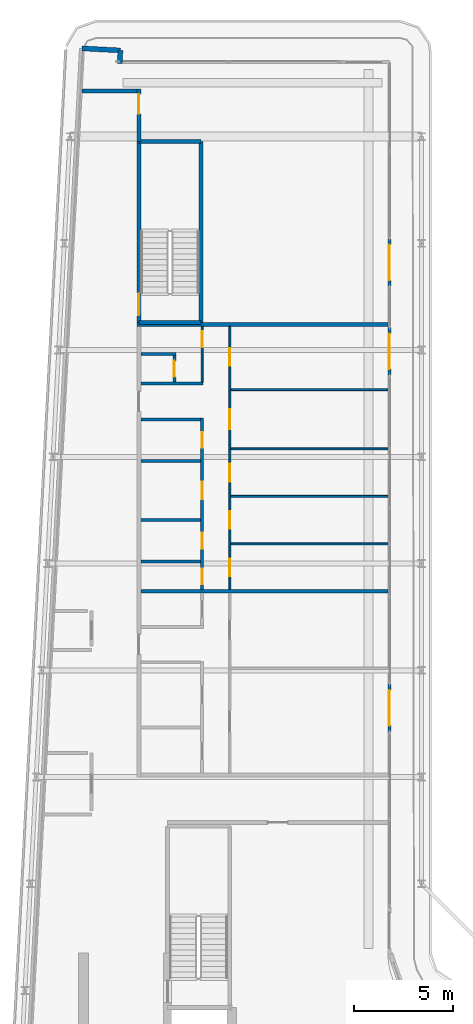
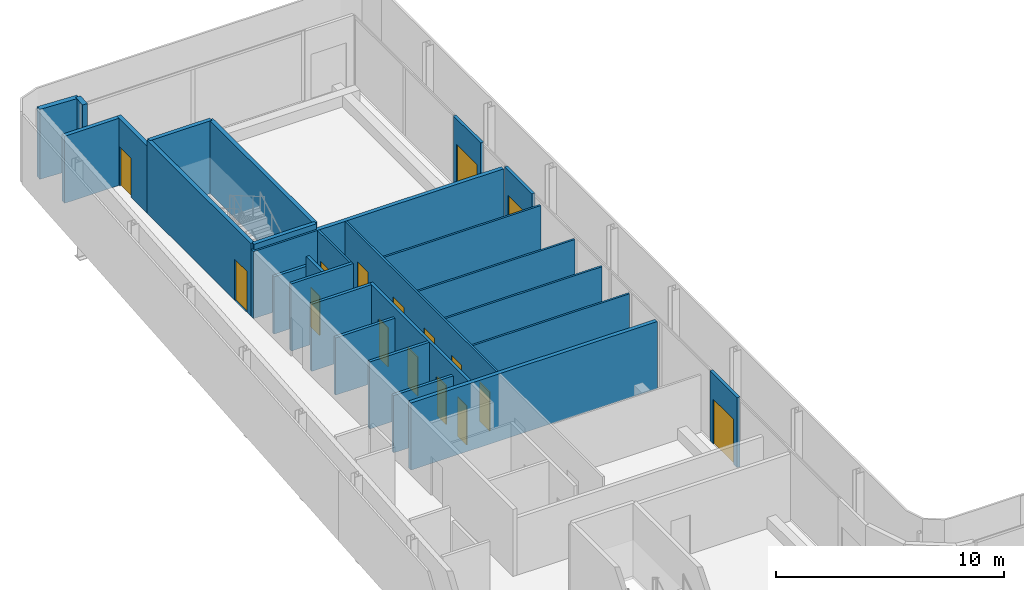
# One storey, part 11 of 19: 27 walls, 16 doors, 16 openings.
"""IFC4 building model written with IfcOpenShell, lengths in metres."""

from ifc_helpers import new_model, si_unit, direction, frame, frame_2d, origin, place, context, subcontext, project, spatial, rectangle, extrude, source, transform, mapped, material, layer, layer_set, type_object, element, fill, save


model = new_model("IFC4")

# Units and contexts
model_context = context("Model", 3, precision=1e-05, world=origin(), true_north=direction((0.0, 1.0)))
body_context = subcontext(model_context, "Body", "Model", "MODEL_VIEW")
ifc_project = project(units=[si_unit("LENGTHUNIT", "METRE"), si_unit("AREAUNIT", "SQUARE_METRE"), si_unit("VOLUMEUNIT", "CUBIC_METRE"), si_unit("PLANEANGLEUNIT", "RADIAN"), si_unit("MASSUNIT", "GRAM", prefix="KILO")], contexts=[model_context])

# Site, building, storey
site_placement = place(None, origin())
site = spatial("IfcSite", under=ifc_project, at=site_placement, CompositionType="ELEMENT")
building_placement = place(site_placement, origin())
building = spatial("IfcBuilding", under=site, at=building_placement, Name="Kheshtan School and Residences Tower", CompositionType="ELEMENT")
storey_placement = place(building_placement, frame((0.0, 0.0, 353.89990234375)))
storey = spatial("IfcBuildingStorey", under=building, at=storey_placement, Name="L83", CompositionType="ELEMENT", Elevation=353.89990234375)

# Wall
ifc_material_1 = material(Name="Gypsum board on steel studs with fire boards", Category="steel")
ifc_layer_1 = layer(ifc_material_1, 0.199951171875)
ifc_layer_set_1 = layer_set([ifc_layer_1], Name="Corridor wall 200")
wall_type_1 = type_object("IfcWallType", Name="Corridor wall 200", PredefinedType="PARTITIONING", material=ifc_layer_set_1)
wall_1_placement = place(storey_placement, frame((30.432373046875, 91.10009765625, 0.0), z_axis=(0.0, 0.0, 1.0), x_axis=(1.0, 0.0, 0.0)))
element("IfcWall", 1, at=wall_1_placement, inside=storey, type_object=wall_type_1, Name="Partition L83-001", PredefinedType="PARTITIONING", context=body_context, shape_type="SweptSolid", body=[
    extrude(rectangle(XDim=2.767578125, YDim=0.199951171875, at=frame_2d((1.3837890625, 0.0))), origin(), (0.0, 0.0, 1.0), 3.60009765625),
])

# Wall, opening, door
wall_2_placement = place(storey_placement, frame((33.300048828125, 88.56005859375, 0.0), z_axis=(0.0, 0.0, 1.0), x_axis=(0.0, 1.0, 0.0)))
wall_2 = element("IfcWall", 2, at=wall_2_placement, inside=storey, type_object=wall_type_1, Name="Partition L83-004", PredefinedType="PARTITIONING", context=body_context, shape_type="SweptSolid", body=[
    extrude(rectangle(XDim=2.639892578125, YDim=0.199951171875, at=frame_2d((1.31982421875, 0.0))), origin(), (0.0, 0.0, 1.0), 3.60009765625),
])
opening_1_placement = place(wall_2_placement, frame((1.389892578125, 0.0, 0.0)))
opening_1 = element("IfcOpeningElement", 3, at=opening_1_placement, cuts=wall_2, Name="Opening D83-021", PredefinedType="OPENING", context=body_context, shape_type="SweptSolid", body=[
    extrude(rectangle(XDim=1.0, YDim=2.10009765625, at=frame_2d((0.5, 1.050048828125))), frame((0.0, 0.10986328125, 0.0), z_axis=(0.0, -1.0, 0.0), x_axis=(1.0, 0.0, 0.0)), (0.0, 0.0, 1.0), 0.219970703125),
])
ifc_material_2 = material(Name="Steel-framed fire-resisting door leaf", Category="steel")
door_type_1 = type_object("IfcDoorType", Name="Fire door FD60 1000 x 2100", OperationType="SINGLE_SWING_LEFT", PredefinedType="DOOR", material=ifc_material_2)
shared_shape_1 = source(origin(), body_context, "Body", "SweptSolid", [
    extrude(rectangle(XDim=1.0, YDim=2.10009765625, at=frame_2d((0.5, 1.050048828125))), frame((0.0, 0.02490234375, 0.0), z_axis=(0.0, -1.0, 0.0), x_axis=(1.0, 0.0, 0.0)), (0.0, 0.0, 1.0), 0.050048828125),
])
door_1_placement = place(opening_1_placement, origin())
door_1 = element("IfcDoor", 4, at=door_1_placement, inside=storey, type_object=door_type_1, Name="Door D83-021", OperationType="SINGLE_SWING_RIGHT", OverallHeight=2.10009765625, OverallWidth=1.0, PredefinedType="DOOR", context=body_context, shape_type="MappedRepresentation", body=[
    mapped(shared_shape_1, transform((0.0, 0.0, 0.0), x_axis=(1.0, 0.0, 0.0), y_axis=(0.0, 1.0, 0.0), z_axis=(0.0, 0.0, 1.0), scale=1.0)),
])
fill(opening_1, door_1)

# Walls
ifc_material_3 = material(Name="Concrete C40/50 with ceramic cladding and mineral wool insulation", Category="concrete")
ifc_layer_2 = layer(ifc_material_3, 0.25)
ifc_layer_set_2 = layer_set([ifc_layer_2], Name="External wall 250 ceramic clad")
wall_type_2 = type_object("IfcWallType", Name="External wall 250 ceramic clad", PredefinedType="SOLIDWALL", material=ifc_layer_set_2)
wall_3_placement = place(storey_placement, frame((30.4208984375, 93.263916015625, 0.0), z_axis=(0.0, 0.0, 1.0), x_axis=(0.998577785791, -0.053314216913, 0.0)))
element("IfcWall", 5, at=wall_3_placement, inside=storey, type_object=wall_type_2, Name="External wall L83 1", PredefinedType="SOLIDWALL", context=body_context, shape_type="SweptSolid", body=[
    extrude(rectangle(XDim=1.95068359375, YDim=0.25, at=frame_2d((0.975341796875, 0.0))), origin(), (0.0, 0.0, 1.0), 3.75),
])
wall_4_placement = place(storey_placement, frame((32.368896484375, 93.159912109375, 0.0), z_axis=(0.0, 0.0, 1.0), x_axis=(-0.053729014033, -0.998555553312, 0.0)))
element("IfcWall", 6, at=wall_4_placement, inside=storey, type_object=wall_type_2, Name="External wall L83 2", PredefinedType="SOLIDWALL", context=body_context, shape_type="SweptSolid", body=[
    extrude(rectangle(XDim=0.66796875, YDim=0.25, at=frame_2d((0.333984375, 0.0))), origin(), (0.0, 0.0, 1.0), 3.75),
])

# Wall, opening, door
ifc_material_4 = material(Name="Aluminium frame wall with insulated infill", Category="aluminium")
ifc_layer_3 = layer(ifc_material_4, 0.14990234375)
ifc_layer_set_3 = layer_set([ifc_layer_3], Name="Glazing frame wall 150")
wall_type_3 = type_object("IfcWallType", Name="Glazing frame wall 150", PredefinedType="SOLIDWALL", material=ifc_layer_set_3)
wall_5_placement = place(storey_placement, frame((45.97509765625, 83.632080078125, 0.0), z_axis=(0.0, 0.0, 1.0), x_axis=(0.0, -1.0, 0.0)))
wall_5 = element("IfcWall", 7, at=wall_5_placement, inside=storey, type_object=wall_type_3, Name="Balcony door wall L83 4.1", PredefinedType="SOLIDWALL", context=body_context, shape_type="SweptSolid", body=[
    extrude(rectangle(XDim=2.399169921875, YDim=0.14990234375, at=frame_2d((1.19970703125, 0.0))), origin(), (0.0, 0.0, 1.0), 3.75),
])
opening_2_placement = place(wall_5_placement, frame((0.300048828125, 0.0, 0.0)))
opening_2 = element("IfcOpeningElement", 8, at=opening_2_placement, cuts=wall_5, Name="Opening BD", PredefinedType="OPENING", context=body_context, shape_type="SweptSolid", body=[
    extrude(rectangle(XDim=1.800048828125, YDim=2.39990234375, at=frame_2d((0.89990234375, 1.199951171875))), frame((0.0, 0.0849609375, 0.0), z_axis=(0.0, -1.0, 0.0), x_axis=(1.0, 0.0, 0.0)), (0.0, 0.0, 1.0), 0.169921875),
])
ifc_material_5 = material(Name="Clear low-e glass in thermally broken aluminium frame", Category="aluminium")
door_type_2 = type_object("IfcDoorType", Name="Balcony sliding door", OperationType="SLIDING_TO_LEFT", PredefinedType="DOOR", material=ifc_material_5)
shared_shape_2 = source(origin(), body_context, "Body", "SweptSolid", [
    extrude(rectangle(XDim=1.800048828125, YDim=2.39990234375, at=frame_2d((0.89990234375, 1.199951171875))), frame((0.0, 0.02490234375, 0.0), z_axis=(0.0, -1.0, 0.0), x_axis=(1.0, 0.0, 0.0)), (0.0, 0.0, 1.0), 0.050048828125),
])
door_2_placement = place(opening_2_placement, origin())
door_2 = element("IfcDoor", 9, at=door_2_placement, inside=storey, type_object=door_type_2, Name="Balcony door L83 4.1", OperationType="SLIDING_TO_LEFT", OverallHeight=2.39990234375, OverallWidth=1.800048828125, PredefinedType="DOOR", context=body_context, shape_type="MappedRepresentation", body=[
    mapped(shared_shape_2, transform((0.0, 0.0, 0.0), x_axis=(1.0, 0.0, 0.0), y_axis=(0.0, 1.0, 0.0), z_axis=(0.0, 0.0, 1.0), scale=1.0)),
])
fill(opening_2, door_2)

wall_6_placement = place(storey_placement, frame((45.97509765625, 79.132080078125, 0.0), z_axis=(0.0, 0.0, 1.0), x_axis=(0.0, -1.0, 0.0)))
wall_6 = element("IfcWall", 10, at=wall_6_placement, inside=storey, type_object=wall_type_3, Name="Balcony door wall L83 4.2", PredefinedType="SOLIDWALL", context=body_context, shape_type="SweptSolid", body=[
    extrude(rectangle(XDim=2.399169921875, YDim=0.14990234375, at=frame_2d((1.19970703125, 0.0))), origin(), (0.0, 0.0, 1.0), 3.75),
])
opening_3_placement = place(wall_6_placement, frame((0.300048828125, 0.0, 0.0)))
opening_3 = element("IfcOpeningElement", 11, at=opening_3_placement, cuts=wall_6, Name="Opening BD", PredefinedType="OPENING", context=body_context, shape_type="SweptSolid", body=[
    extrude(rectangle(XDim=1.800048828125, YDim=2.39990234375, at=frame_2d((0.89990234375, 1.199951171875))), frame((0.0, 0.0849609375, 0.0), z_axis=(0.0, -1.0, 0.0), x_axis=(1.0, 0.0, 0.0)), (0.0, 0.0, 1.0), 0.169921875),
])
door_3_placement = place(opening_3_placement, origin())
door_3 = element("IfcDoor", 12, at=door_3_placement, inside=storey, type_object=door_type_2, Name="Balcony door L83 4.2", OperationType="SLIDING_TO_LEFT", OverallHeight=2.39990234375, OverallWidth=1.800048828125, PredefinedType="DOOR", context=body_context, shape_type="MappedRepresentation", body=[
    mapped(shared_shape_2, transform((0.0, 0.0, 0.0), x_axis=(1.0, 0.0, 0.0), y_axis=(0.0, 1.0, 0.0), z_axis=(0.0, 0.0, 1.0), scale=1.0)),
])
fill(opening_3, door_3)

wall_7_placement = place(storey_placement, frame((45.97509765625, 61.096923828125, 0.0), z_axis=(0.0, 0.0, 1.0), x_axis=(0.0, -1.0, 0.0)))
wall_7 = element("IfcWall", 13, at=wall_7_placement, inside=storey, type_object=wall_type_3, Name="Balcony door wall L83 4.3", PredefinedType="SOLIDWALL", context=body_context, shape_type="SweptSolid", body=[
    extrude(rectangle(XDim=2.39990234375, YDim=0.14990234375, at=frame_2d((1.199951171875, 0.0))), origin(), (0.0, 0.0, 1.0), 3.75),
])
opening_4_placement = place(wall_7_placement, frame((0.300048828125, 0.0, 0.0)))
opening_4 = element("IfcOpeningElement", 14, at=opening_4_placement, cuts=wall_7, Name="Opening BD", PredefinedType="OPENING", context=body_context, shape_type="SweptSolid", body=[
    extrude(rectangle(XDim=1.800048828125, YDim=2.39990234375, at=frame_2d((0.89990234375, 1.199951171875))), frame((0.0, 0.0849609375, 0.0), z_axis=(0.0, -1.0, 0.0), x_axis=(1.0, 0.0, 0.0)), (0.0, 0.0, 1.0), 0.169921875),
])
door_4_placement = place(opening_4_placement, origin())
door_4 = element("IfcDoor", 15, at=door_4_placement, inside=storey, type_object=door_type_2, Name="Balcony door L83 4.3", OperationType="SLIDING_TO_LEFT", OverallHeight=2.39990234375, OverallWidth=1.800048828125, PredefinedType="DOOR", context=body_context, shape_type="MappedRepresentation", body=[
    mapped(shared_shape_2, transform((0.0, 0.0, 0.0), x_axis=(1.0, 0.0, 0.0), y_axis=(0.0, 1.0, 0.0), z_axis=(0.0, 0.0, 1.0), scale=1.0)),
])
fill(opening_4, door_4)

ifc_material_6 = material(Name="Gypsum board on steel studs", Category="steel")
ifc_layer_4 = layer(ifc_material_6, 0.10009765625)
ifc_layer_set_4 = layer_set([ifc_layer_4], Name="Gypsum partition 100")
wall_type_4 = type_object("IfcWallType", Name="Gypsum partition 100", PredefinedType="PARTITIONING", material=ifc_layer_set_4)
wall_8_placement = place(storey_placement, frame((36.5, 76.375, 0.0), z_axis=(0.0, 0.0, 1.0), x_axis=(0.0, 1.0, 0.0)))
wall_8 = element("IfcWall", 16, at=wall_8_placement, inside=storey, type_object=wall_type_4, Name="Partition L83-023", PredefinedType="PARTITIONING", context=body_context, shape_type="SweptSolid", body=[
    extrude(rectangle(XDim=2.824951171875, YDim=0.10009765625, at=frame_2d((1.41259765625, 0.0))), origin(), (0.0, 0.0, 1.0), 3.60009765625),
])
opening_5_placement = place(wall_8_placement, frame((1.77490234375, 0.0, 0.0)))
opening_5 = element("IfcOpeningElement", 17, at=opening_5_placement, cuts=wall_8, Name="Opening D83-014", PredefinedType="OPENING", context=body_context, shape_type="SweptSolid", body=[
    extrude(rectangle(XDim=0.800048828125, YDim=2.10009765625, at=frame_2d((0.39990234375, 1.050048828125))), frame((0.0, 0.06005859375, 0.0), z_axis=(0.0, -1.0, 0.0), x_axis=(1.0, 0.0, 0.0)), (0.0, 0.0, 1.0), 0.1201171875),
])
ifc_material_7 = material(Name="Veneered timber door leaf", Category="wood")
door_type_3 = type_object("IfcDoorType", Name="Door 800 x 2100", OperationType="SINGLE_SWING_LEFT", PredefinedType="DOOR", material=ifc_material_7)
shared_shape_3 = source(origin(), body_context, "Body", "SweptSolid", [
    extrude(rectangle(XDim=0.800048828125, YDim=2.10009765625, at=frame_2d((0.39990234375, 1.050048828125))), frame((0.0, 0.02490234375, 0.0), z_axis=(0.0, -1.0, 0.0), x_axis=(1.0, 0.0, 0.0)), (0.0, 0.0, 1.0), 0.050048828125),
])
door_5_placement = place(opening_5_placement, origin())
door_5 = element("IfcDoor", 18, at=door_5_placement, inside=storey, type_object=door_type_3, Name="Door D83-014", OperationType="SINGLE_SWING_RIGHT", OverallHeight=2.10009765625, OverallWidth=0.800048828125, PredefinedType="DOOR", context=body_context, shape_type="MappedRepresentation", body=[
    mapped(shared_shape_3, transform((0.0, 0.0, 0.0), x_axis=(1.0, 0.0, 0.0), y_axis=(0.0, 1.0, 0.0), z_axis=(0.0, 0.0, 1.0), scale=1.0)),
])
fill(opening_5, door_5)

# Wall, openings, doors
wall_9_placement = place(storey_placement, frame((37.89990234375, 65.89990234375, 0.0), z_axis=(0.0, 0.0, 1.0), x_axis=(0.0, 1.0, 0.0)))
wall_9 = element("IfcWall", 19, at=wall_9_placement, inside=storey, type_object=wall_type_4, Name="Partition L83-025", PredefinedType="PARTITIONING", context=body_context, shape_type="SweptSolid", body=[
    extrude(rectangle(XDim=13.300048828125, YDim=0.10009765625, at=frame_2d((6.64990234375, 0.0))), origin(), (0.0, 0.0, 1.0), 3.60009765625),
])
opening_6_placement = place(wall_9_placement, frame((0.64990234375, 0.0, 0.0)))
opening_6 = element("IfcOpeningElement", 20, at=opening_6_placement, cuts=wall_9, Name="Opening D83-009", PredefinedType="OPENING", context=body_context, shape_type="SweptSolid", body=[
    extrude(rectangle(XDim=0.89990234375, YDim=2.10009765625, at=frame_2d((0.449951171875, 1.050048828125))), frame((0.0, 0.06005859375, 0.0), z_axis=(0.0, -1.0, 0.0), x_axis=(1.0, 0.0, 0.0)), (0.0, 0.0, 1.0), 0.1201171875),
])
opening_7_placement = place(wall_9_placement, frame((3.050048828125, 0.0, 0.0)))
opening_7 = element("IfcOpeningElement", 21, at=opening_7_placement, cuts=wall_9, Name="Opening D83-010", PredefinedType="OPENING", context=body_context, shape_type="SweptSolid", body=[
    extrude(rectangle(XDim=0.89990234375, YDim=2.10009765625, at=frame_2d((0.449951171875, 1.050048828125))), frame((0.0, 0.06005859375, 0.0), z_axis=(0.0, -1.0, 0.0), x_axis=(1.0, 0.0, 0.0)), (0.0, 0.0, 1.0), 0.1201171875),
])
opening_8_placement = place(wall_9_placement, frame((8.10009765625, 0.0, 0.0)))
opening_8 = element("IfcOpeningElement", 22, at=opening_8_placement, cuts=wall_9, Name="Opening D83-013", PredefinedType="OPENING", context=body_context, shape_type="SweptSolid", body=[
    extrude(rectangle(XDim=1.0, YDim=2.10009765625, at=frame_2d((0.5, 1.050048828125))), frame((0.0, 0.06005859375, 0.0), z_axis=(0.0, -1.0, 0.0), x_axis=(1.0, 0.0, 0.0)), (0.0, 0.0, 1.0), 0.1201171875),
])
opening_9_placement = place(wall_9_placement, frame((5.449951171875, 0.0, 0.0)))
opening_9 = element("IfcOpeningElement", 23, at=opening_9_placement, cuts=wall_9, Name="Opening D83-016", PredefinedType="OPENING", context=body_context, shape_type="SweptSolid", body=[
    extrude(rectangle(XDim=0.89990234375, YDim=2.10009765625, at=frame_2d((0.449951171875, 1.050048828125))), frame((0.0, 0.06005859375, 0.0), z_axis=(0.0, -1.0, 0.0), x_axis=(1.0, 0.0, 0.0)), (0.0, 0.0, 1.0), 0.1201171875),
])
opening_10_placement = place(wall_9_placement, frame((11.300048828125, 0.0, 0.0)))
opening_10 = element("IfcOpeningElement", 24, at=opening_10_placement, cuts=wall_9, Name="Opening D83-017", PredefinedType="OPENING", context=body_context, shape_type="SweptSolid", body=[
    extrude(rectangle(XDim=0.89990234375, YDim=2.10009765625, at=frame_2d((0.449951171875, 1.050048828125))), frame((0.0, 0.06005859375, 0.0), z_axis=(0.0, -1.0, 0.0), x_axis=(1.0, 0.0, 0.0)), (0.0, 0.0, 1.0), 0.1201171875),
])
door_type_4 = type_object("IfcDoorType", Name="Door 1000 x 2100", OperationType="SINGLE_SWING_LEFT", PredefinedType="DOOR", material=ifc_material_7)
shared_shape_4 = source(origin(), body_context, "Body", "SweptSolid", [
    extrude(rectangle(XDim=1.0, YDim=2.10009765625, at=frame_2d((0.5, 1.050048828125))), frame((0.0, 0.02490234375, 0.0), z_axis=(0.0, -1.0, 0.0), x_axis=(1.0, 0.0, 0.0)), (0.0, 0.0, 1.0), 0.050048828125),
])
door_6_placement = place(opening_8_placement, origin())
door_6 = element("IfcDoor", 25, at=door_6_placement, inside=storey, type_object=door_type_4, Name="Door D83-013", OperationType="SINGLE_SWING_RIGHT", OverallHeight=2.10009765625, OverallWidth=1.0, PredefinedType="DOOR", context=body_context, shape_type="MappedRepresentation", body=[
    mapped(shared_shape_4, transform((0.0, 0.0, 0.0), x_axis=(1.0, 0.0, 0.0), y_axis=(0.0, 1.0, 0.0), z_axis=(0.0, 0.0, 1.0), scale=1.0)),
])
fill(opening_8, door_6)
door_type_5 = type_object("IfcDoorType", Name="Door 900 x 2100", OperationType="SINGLE_SWING_LEFT", PredefinedType="DOOR", material=ifc_material_7)
shared_shape_5 = source(origin(), body_context, "Body", "SweptSolid", [
    extrude(rectangle(XDim=0.89990234375, YDim=2.10009765625, at=frame_2d((0.449951171875, 1.050048828125))), frame((0.0, 0.02490234375, 0.0), z_axis=(0.0, -1.0, 0.0), x_axis=(1.0, 0.0, 0.0)), (0.0, 0.0, 1.0), 0.050048828125),
])
door_7_placement = place(opening_6_placement, origin())
door_7 = element("IfcDoor", 26, at=door_7_placement, inside=storey, type_object=door_type_5, Name="Door D83-009", OperationType="SINGLE_SWING_LEFT", OverallHeight=2.10009765625, OverallWidth=0.89990234375, PredefinedType="DOOR", context=body_context, shape_type="MappedRepresentation", body=[
    mapped(shared_shape_5, transform((0.0, 0.0, 0.0), x_axis=(1.0, 0.0, 0.0), y_axis=(0.0, 1.0, 0.0), z_axis=(0.0, 0.0, 1.0), scale=1.0)),
])
fill(opening_6, door_7)
door_8_placement = place(opening_7_placement, origin())
door_8 = element("IfcDoor", 27, at=door_8_placement, inside=storey, type_object=door_type_5, Name="Door D83-010", OperationType="SINGLE_SWING_LEFT", OverallHeight=2.10009765625, OverallWidth=0.89990234375, PredefinedType="DOOR", context=body_context, shape_type="MappedRepresentation", body=[
    mapped(shared_shape_5, transform((0.0, 0.0, 0.0), x_axis=(1.0, 0.0, 0.0), y_axis=(0.0, 1.0, 0.0), z_axis=(0.0, 0.0, 1.0), scale=1.0)),
])
fill(opening_7, door_8)
door_9_placement = place(opening_9_placement, origin())
door_9 = element("IfcDoor", 28, at=door_9_placement, inside=storey, type_object=door_type_5, Name="Door D83-016", OperationType="SINGLE_SWING_LEFT", OverallHeight=2.10009765625, OverallWidth=0.89990234375, PredefinedType="DOOR", context=body_context, shape_type="MappedRepresentation", body=[
    mapped(shared_shape_5, transform((0.0, 0.0, 0.0), x_axis=(1.0, 0.0, 0.0), y_axis=(0.0, 1.0, 0.0), z_axis=(0.0, 0.0, 1.0), scale=1.0)),
])
fill(opening_9, door_9)
door_10_placement = place(opening_10_placement, origin())
door_10 = element("IfcDoor", 29, at=door_10_placement, inside=storey, type_object=door_type_5, Name="Door D83-017", OperationType="SINGLE_SWING_RIGHT", OverallHeight=2.10009765625, OverallWidth=0.89990234375, PredefinedType="DOOR", context=body_context, shape_type="MappedRepresentation", body=[
    mapped(shared_shape_5, transform((0.0, 0.0, 0.0), x_axis=(1.0, 0.0, 0.0), y_axis=(0.0, 1.0, 0.0), z_axis=(0.0, 0.0, 1.0), scale=1.0)),
])
fill(opening_10, door_10)

# Walls
for number, where, z_axis, x_axis, name in (
    (30, (37.949951171875, 68.199951171875, 0.0), (0.0, 0.0, 1.0), (1.0, 0.0, 0.0), "Partition L83-027"),
    (31, (37.949951171875, 70.60009765625, 0.0), (0.0, 0.0, 1.0), (1.0, 0.0, 0.0), "Partition L83-028"),
    (32, (37.949951171875, 73.0, 0.0), (0.0, 0.0, 1.0), (1.0, 0.0, 0.0), "Partition L83-029"),
    (33, (37.949951171875, 76.0, 0.0), (0.0, 0.0, 1.0), (1.0, 0.0, 0.0), "Partition L83-030"),
):
    element("IfcWall", number, at=place(storey_placement, frame(where, z_axis=z_axis, x_axis=x_axis)), inside=storey, type_object=wall_type_4, Name=name, PredefinedType="PARTITIONING", context=body_context, shape_type="SweptSolid", body=[
        extrude(rectangle(XDim=7.949951171875, YDim=0.10009765625, at=frame_2d((3.97509765625, 0.0))), origin(), (0.0, 0.0, 1.0), 3.60009765625),
    ])
ifc_material_8 = material(Name="Concrete C40/50", Category="concrete")
ifc_layer_5 = layer(ifc_material_8, 0.199951171875)
ifc_layer_set_5 = layer_set([ifc_layer_5], Name="Stair enclosure wall 200 Concrete C40/50")
wall_type_5 = type_object("IfcWallType", Name="Stair enclosure wall 200 Concrete C40/50", PredefinedType="SHEAR", material=ifc_layer_set_5)
for number, where, z_axis, x_axis, name in (
    (34, (33.300048828125, 79.39990234375, 0.0), (0.0, 0.0, 1.0), (1.0, 0.0, 0.0), "Stair enclosure wall ST3"),
    (35, (33.300048828125, 88.56005859375, 0.0), (0.0, 0.0, 1.0), (1.0, 0.0, 0.0), "Stair enclosure wall ST3"),
):
    element("IfcWall", number, at=place(storey_placement, frame(where, z_axis=z_axis, x_axis=x_axis)), inside=storey, type_object=wall_type_5, Name=name, PredefinedType="SHEAR", context=body_context, shape_type="SweptSolid", body=[
        extrude(rectangle(XDim=3.14990234375, YDim=0.199951171875, at=frame_2d((1.574951171875, 0.0))), origin(), (0.0, 0.0, 1.0), 3.900146484375),
    ])

# Wall, opening, door
wall_10_placement = place(storey_placement, frame((33.300048828125, 79.39990234375, 0.0), z_axis=(0.0, 0.0, 1.0), x_axis=(0.0, 1.0, 0.0)))
wall_10 = element("IfcWall", 36, at=wall_10_placement, inside=storey, type_object=wall_type_5, Name="Stair enclosure wall ST3", PredefinedType="SHEAR", context=body_context, shape_type="SweptSolid", body=[
    extrude(rectangle(XDim=9.16015625, YDim=0.199951171875, at=frame_2d((4.580078125, 0.0))), origin(), (0.0, 0.0, 1.0), 3.900146484375),
])
opening_11_placement = place(wall_10_placement, frame((0.35009765625, 0.0, 0.0)))
opening_11 = element("IfcOpeningElement", 37, at=opening_11_placement, cuts=wall_10, Name="Opening ST3D", PredefinedType="OPENING", context=body_context, shape_type="SweptSolid", body=[
    extrude(rectangle(XDim=1.10009765625, YDim=2.199951171875, at=frame_2d((0.550048828125, 1.10009765625))), frame((0.0, 0.10986328125, 0.0), z_axis=(0.0, -1.0, 0.0), x_axis=(1.0, 0.0, 0.0)), (0.0, 0.0, 1.0), 0.219970703125),
])
ifc_material_9 = material(Name="Steel door leaf, galvanised", Category="steel")
door_type_6 = type_object("IfcDoorType", Name="Stair door 1100 steel 90 min", OperationType="SINGLE_SWING_LEFT", PredefinedType="DOOR", material=ifc_material_9)
shared_shape_6 = source(origin(), body_context, "Body", "SweptSolid", [
    extrude(rectangle(XDim=1.10009765625, YDim=2.199951171875, at=frame_2d((0.550048828125, 1.10009765625))), frame((0.0, 0.02490234375, 0.0), z_axis=(0.0, -1.0, 0.0), x_axis=(1.0, 0.0, 0.0)), (0.0, 0.0, 1.0), 0.050048828125),
])
door_11_placement = place(opening_11_placement, origin())
door_11 = element("IfcDoor", 38, at=door_11_placement, inside=storey, type_object=door_type_6, Name="Stair ST3 door", OperationType="SINGLE_SWING_RIGHT", OverallHeight=2.199951171875, OverallWidth=1.10009765625, PredefinedType="DOOR", context=body_context, shape_type="MappedRepresentation", body=[
    mapped(shared_shape_6, transform((0.0, 0.0, 0.0), x_axis=(1.0, 0.0, 0.0), y_axis=(0.0, 1.0, 0.0), z_axis=(0.0, 0.0, 1.0), scale=1.0)),
])
fill(opening_11, door_11)

# Walls
wall_11_placement = place(storey_placement, frame((36.449951171875, 79.39990234375, 0.0), z_axis=(0.0, 0.0, 1.0), x_axis=(0.0, 1.0, 0.0)))
element("IfcWall", 39, at=wall_11_placement, inside=storey, type_object=wall_type_5, Name="Stair enclosure wall ST3", PredefinedType="SHEAR", context=body_context, shape_type="SweptSolid", body=[
    extrude(rectangle(XDim=9.16015625, YDim=0.199951171875, at=frame_2d((4.580078125, 0.0))), origin(), (0.0, 0.0, 1.0), 3.900146484375),
])
ifc_material_10 = material(Name="Twin gypsum board on steel studs with mineral wool", Category="steel")
ifc_layer_6 = layer(ifc_material_10, 0.199951171875)
ifc_layer_set_6 = layer_set([ifc_layer_6], Name="Unit demising wall 200")
wall_type_6 = type_object("IfcWallType", Name="Unit demising wall 200", PredefinedType="PARTITIONING", material=ifc_layer_set_6)
wall_12_placement = place(storey_placement, frame((33.199951171875, 79.300048828125, 0.0), z_axis=(0.0, 0.0, 1.0), x_axis=(1.0, 0.0, 0.0)))
element("IfcWall", 40, at=wall_12_placement, inside=storey, type_object=wall_type_6, Name="Partition L83-002", PredefinedType="PARTITIONING", context=body_context, shape_type="SweptSolid", body=[
    extrude(rectangle(XDim=12.699951171875, YDim=0.199951171875, at=frame_2d((6.35009765625, 0.0))), origin(), (0.0, 0.0, 1.0), 3.60009765625),
])
wall_13_placement = place(storey_placement, frame((33.39990234375, 65.800048828125, 0.0), z_axis=(0.0, 0.0, 1.0), x_axis=(1.0, 0.0, 0.0)))
element("IfcWall", 41, at=wall_13_placement, inside=storey, type_object=wall_type_6, Name="Partition L83-009", PredefinedType="PARTITIONING", context=body_context, shape_type="SweptSolid", body=[
    extrude(rectangle(XDim=12.5, YDim=0.199951171875, at=frame_2d((6.25, 0.0))), origin(), (0.0, 0.0, 1.0), 3.60009765625),
])
ifc_material_11 = material(Name="Moisture-resistant gypsum board on steel studs", Category="steel")
ifc_layer_7 = layer(ifc_material_11, 0.14990234375)
ifc_layer_set_7 = layer_set([ifc_layer_7], Name="Wet-room partition 150")
wall_type_7 = type_object("IfcWallType", Name="Wet-room partition 150", PredefinedType="PARTITIONING", material=ifc_layer_set_7)
wall_14_placement = place(storey_placement, frame((33.39990234375, 67.300048828125, 0.0), z_axis=(0.0, 0.0, 1.0), x_axis=(1.0, 0.0, 0.0)))
element("IfcWall", 42, at=wall_14_placement, inside=storey, type_object=wall_type_7, Name="Partition L83-010", PredefinedType="PARTITIONING", context=body_context, shape_type="SweptSolid", body=[
    extrude(rectangle(XDim=3.025146484375, YDim=0.14990234375, at=frame_2d((1.5126953125, 0.0))), origin(), (0.0, 0.0, 1.0), 3.072021484375),
])
wall_15_placement = place(storey_placement, frame((33.39990234375, 69.39990234375, 0.0), z_axis=(0.0, 0.0, 1.0), x_axis=(1.0, 0.0, 0.0)))
element("IfcWall", 43, at=wall_15_placement, inside=storey, type_object=wall_type_7, Name="Partition L83-011", PredefinedType="PARTITIONING", context=body_context, shape_type="SweptSolid", body=[
    extrude(rectangle(XDim=3.025146484375, YDim=0.14990234375, at=frame_2d((1.5126953125, 0.0))), origin(), (0.0, 0.0, 1.0), 3.60009765625),
])
wall_16_placement = place(storey_placement, frame((33.39990234375, 72.39990234375, 0.0), z_axis=(0.0, 0.0, 1.0), x_axis=(1.0, 0.0, 0.0)))
element("IfcWall", 44, at=wall_16_placement, inside=storey, type_object=wall_type_7, Name="Partition L83-012", PredefinedType="PARTITIONING", context=body_context, shape_type="SweptSolid", body=[
    extrude(rectangle(XDim=3.025146484375, YDim=0.14990234375, at=frame_2d((1.5126953125, 0.0))), origin(), (0.0, 0.0, 1.0), 3.072021484375),
])
wall_17_placement = place(storey_placement, frame((33.39990234375, 74.5, 0.0), z_axis=(0.0, 0.0, 1.0), x_axis=(1.0, 0.0, 0.0)))
element("IfcWall", 45, at=wall_17_placement, inside=storey, type_object=wall_type_7, Name="Partition L83-013", PredefinedType="PARTITIONING", context=body_context, shape_type="SweptSolid", body=[
    extrude(rectangle(XDim=3.025146484375, YDim=0.14990234375, at=frame_2d((1.5126953125, 0.0))), origin(), (0.0, 0.0, 1.0), 3.60009765625),
])
wall_18_placement = place(storey_placement, frame((33.39990234375, 76.300048828125, 0.0), z_axis=(0.0, 0.0, 1.0), x_axis=(1.0, 0.0, 0.0)))
element("IfcWall", 46, at=wall_18_placement, inside=storey, type_object=wall_type_7, Name="Partition L83-014", PredefinedType="PARTITIONING", context=body_context, shape_type="SweptSolid", body=[
    extrude(rectangle(XDim=3.150146484375, YDim=0.14990234375, at=frame_2d((1.5751953125, 0.0))), origin(), (0.0, 0.0, 1.0), 3.60009765625),
])
wall_19_placement = place(storey_placement, frame((33.39990234375, 77.800048828125, 0.0), z_axis=(0.0, 0.0, 1.0), x_axis=(1.0, 0.0, 0.0)))
element("IfcWall", 47, at=wall_19_placement, inside=storey, type_object=wall_type_7, Name="Partition L83-015", PredefinedType="PARTITIONING", context=body_context, shape_type="SweptSolid", body=[
    extrude(rectangle(XDim=1.775146484375, YDim=0.14990234375, at=frame_2d((0.8876953125, 0.0))), origin(), (0.0, 0.0, 1.0), 3.072021484375),
])

# Wall, opening, door
wall_20_placement = place(storey_placement, frame((35.10009765625, 76.375, 0.0), z_axis=(0.0, 0.0, 1.0), x_axis=(0.0, 1.0, 0.0)))
wall_20 = element("IfcWall", 48, at=wall_20_placement, inside=storey, type_object=wall_type_7, Name="Partition L83-019", PredefinedType="PARTITIONING", context=body_context, shape_type="SweptSolid", body=[
    extrude(rectangle(XDim=1.35009765625, YDim=0.14990234375, at=frame_2d((0.675048828125, 0.0))), origin(), (0.0, 0.0, 1.0), 3.60009765625),
])
opening_12_placement = place(wall_20_placement, frame((0.27490234375, 0.0, 0.0)))
opening_12 = element("IfcOpeningElement", 49, at=opening_12_placement, cuts=wall_20, Name="Opening D83-015", PredefinedType="OPENING", context=body_context, shape_type="SweptSolid", body=[
    extrude(rectangle(XDim=0.800048828125, YDim=2.10009765625, at=frame_2d((0.39990234375, 1.050048828125))), frame((0.0, 0.0849609375, 0.0), z_axis=(0.0, -1.0, 0.0), x_axis=(1.0, 0.0, 0.0)), (0.0, 0.0, 1.0), 0.169921875),
])
door_12_placement = place(opening_12_placement, origin())
door_12 = element("IfcDoor", 50, at=door_12_placement, inside=storey, type_object=door_type_3, Name="Door D83-015", OperationType="SINGLE_SWING_LEFT", OverallHeight=2.10009765625, OverallWidth=0.800048828125, PredefinedType="DOOR", context=body_context, shape_type="MappedRepresentation", body=[
    mapped(shared_shape_3, transform((0.0, 0.0, 0.0), x_axis=(1.0, 0.0, 0.0), y_axis=(0.0, 1.0, 0.0), z_axis=(0.0, 0.0, 1.0), scale=1.0)),
])
fill(opening_12, door_12)

# Wall, openings, doors
wall_21_placement = place(storey_placement, frame((36.5, 65.89990234375, 0.0), z_axis=(0.0, 0.0, 1.0), x_axis=(0.0, 1.0, 0.0)))
wall_21 = element("IfcWall", 51, at=wall_21_placement, inside=storey, type_object=wall_type_7, Name="Partition L83-022", PredefinedType="PARTITIONING", context=body_context, shape_type="SweptSolid", body=[
    extrude(rectangle(XDim=8.675048828125, YDim=0.14990234375, at=frame_2d((4.33740234375, 0.0))), origin(), (0.0, 0.0, 1.0), 3.60009765625),
])
opening_13_placement = place(wall_21_placement, frame((2.050048828125, 0.0, 0.0)))
opening_13 = element("IfcOpeningElement", 52, at=opening_13_placement, cuts=wall_21, Name="Opening D83-007", PredefinedType="OPENING", context=body_context, shape_type="SweptSolid", body=[
    extrude(rectangle(XDim=0.800048828125, YDim=2.10009765625, at=frame_2d((0.39990234375, 1.050048828125))), frame((0.0, 0.0849609375, 0.0), z_axis=(0.0, -1.0, 0.0), x_axis=(1.0, 0.0, 0.0)), (0.0, 0.0, 1.0), 0.169921875),
])
opening_14_placement = place(wall_21_placement, frame((7.14990234375, 0.0, 0.0)))
opening_14 = element("IfcOpeningElement", 53, at=opening_14_placement, cuts=wall_21, Name="Opening D83-008", PredefinedType="OPENING", context=body_context, shape_type="SweptSolid", body=[
    extrude(rectangle(XDim=0.800048828125, YDim=2.10009765625, at=frame_2d((0.39990234375, 1.050048828125))), frame((0.0, 0.0849609375, 0.0), z_axis=(0.0, -1.0, 0.0), x_axis=(1.0, 0.0, 0.0)), (0.0, 0.0, 1.0), 0.169921875),
])
opening_15_placement = place(wall_21_placement, frame((4.550048828125, 0.0, 0.0)))
opening_15 = element("IfcOpeningElement", 54, at=opening_15_placement, cuts=wall_21, Name="Opening D83-012", PredefinedType="OPENING", context=body_context, shape_type="SweptSolid", body=[
    extrude(rectangle(XDim=0.89990234375, YDim=2.10009765625, at=frame_2d((0.449951171875, 1.050048828125))), frame((0.0, 0.0849609375, 0.0), z_axis=(0.0, -1.0, 0.0), x_axis=(1.0, 0.0, 0.0)), (0.0, 0.0, 1.0), 0.169921875),
])
opening_16_placement = place(wall_21_placement, frame((0.25, 0.0, 0.0)))
opening_16 = element("IfcOpeningElement", 55, at=opening_16_placement, cuts=wall_21, Name="Opening D83-018", PredefinedType="OPENING", context=body_context, shape_type="SweptSolid", body=[
    extrude(rectangle(XDim=0.800048828125, YDim=2.10009765625, at=frame_2d((0.39990234375, 1.050048828125))), frame((0.0, 0.0849609375, 0.0), z_axis=(0.0, -1.0, 0.0), x_axis=(1.0, 0.0, 0.0)), (0.0, 0.0, 1.0), 0.169921875),
])
door_13_placement = place(opening_13_placement, origin())
door_13 = element("IfcDoor", 56, at=door_13_placement, inside=storey, type_object=door_type_3, Name="Door D83-007", OperationType="SINGLE_SWING_RIGHT", OverallHeight=2.10009765625, OverallWidth=0.800048828125, PredefinedType="DOOR", context=body_context, shape_type="MappedRepresentation", body=[
    mapped(shared_shape_3, transform((0.0, 0.0, 0.0), x_axis=(1.0, 0.0, 0.0), y_axis=(0.0, 1.0, 0.0), z_axis=(0.0, 0.0, 1.0), scale=1.0)),
])
fill(opening_13, door_13)
door_14_placement = place(opening_14_placement, origin())
door_14 = element("IfcDoor", 57, at=door_14_placement, inside=storey, type_object=door_type_3, Name="Door D83-008", OperationType="SINGLE_SWING_RIGHT", OverallHeight=2.10009765625, OverallWidth=0.800048828125, PredefinedType="DOOR", context=body_context, shape_type="MappedRepresentation", body=[
    mapped(shared_shape_3, transform((0.0, 0.0, 0.0), x_axis=(1.0, 0.0, 0.0), y_axis=(0.0, 1.0, 0.0), z_axis=(0.0, 0.0, 1.0), scale=1.0)),
])
fill(opening_14, door_14)
door_15_placement = place(opening_16_placement, origin())
door_15 = element("IfcDoor", 58, at=door_15_placement, inside=storey, type_object=door_type_3, Name="Door D83-018", OperationType="SINGLE_SWING_RIGHT", OverallHeight=2.10009765625, OverallWidth=0.800048828125, PredefinedType="DOOR", context=body_context, shape_type="MappedRepresentation", body=[
    mapped(shared_shape_3, transform((0.0, 0.0, 0.0), x_axis=(1.0, 0.0, 0.0), y_axis=(0.0, 1.0, 0.0), z_axis=(0.0, 0.0, 1.0), scale=1.0)),
])
fill(opening_16, door_15)
door_16_placement = place(opening_15_placement, origin())
door_16 = element("IfcDoor", 59, at=door_16_placement, inside=storey, type_object=door_type_5, Name="Door D83-012", OperationType="SINGLE_SWING_RIGHT", OverallHeight=2.10009765625, OverallWidth=0.89990234375, PredefinedType="DOOR", context=body_context, shape_type="MappedRepresentation", body=[
    mapped(shared_shape_5, transform((0.0, 0.0, 0.0), x_axis=(1.0, 0.0, 0.0), y_axis=(0.0, 1.0, 0.0), z_axis=(0.0, 0.0, 1.0), scale=1.0)),
])
fill(opening_15, door_16)

save(model, "model.ifc")
